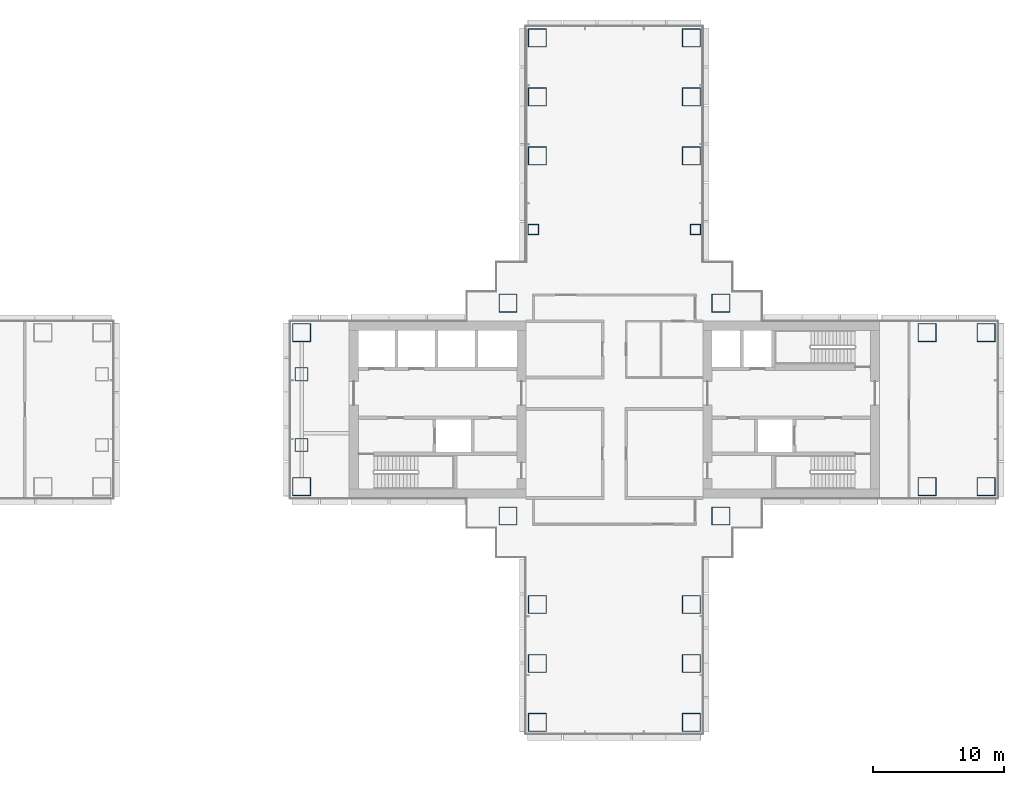
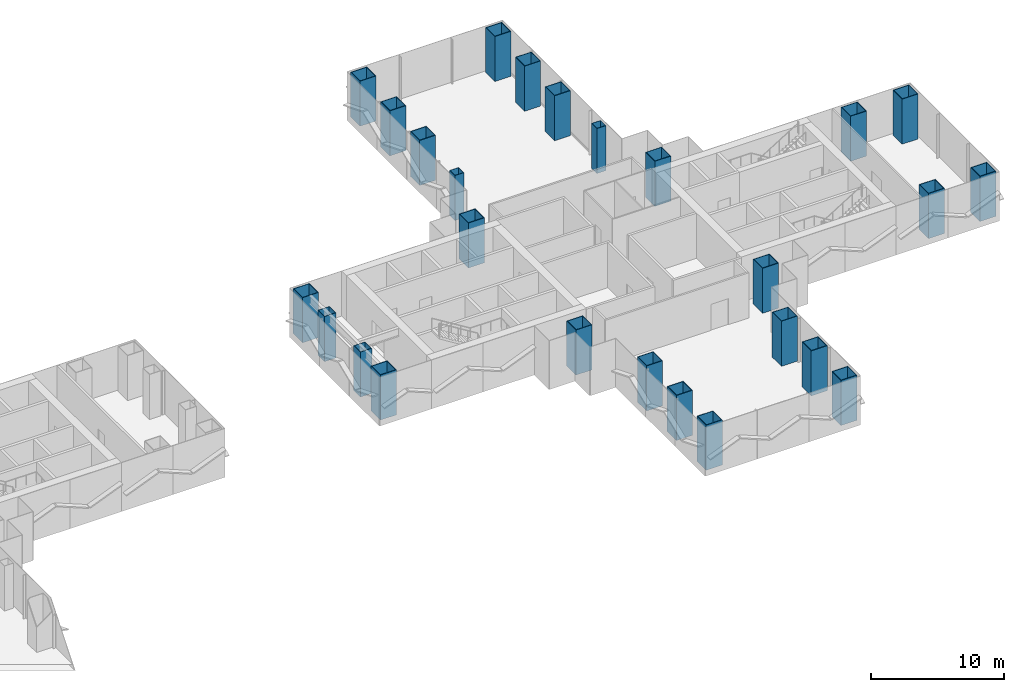
# One storey, part 2 of 22: 26 columns.
"""IFC4 building model written with IfcOpenShell, lengths in metres."""

from ifc_helpers import new_model, si_unit, direction, frame, origin, origin_2d, place, context, subcontext, project, spatial, hollow_rectangle, extrude, material, material_profile, profile_set, type_object, element, save


model = new_model("IFC4")

# Units and contexts
model_context = context("Model", 3, precision=1e-05, world=origin(), true_north=direction((0.0, 1.0)))
body_context = subcontext(model_context, "Body", "Model", "MODEL_VIEW")
ifc_project = project(units=[si_unit("LENGTHUNIT", "METRE"), si_unit("AREAUNIT", "SQUARE_METRE"), si_unit("VOLUMEUNIT", "CUBIC_METRE"), si_unit("PLANEANGLEUNIT", "RADIAN"), si_unit("MASSUNIT", "GRAM", prefix="KILO")], contexts=[model_context])

# Site, building, storey
site_placement = place(None, origin())
site = spatial("IfcSite", under=ifc_project, at=site_placement, CompositionType="ELEMENT")
building_placement = place(site_placement, origin())
building = spatial("IfcBuilding", under=site, at=building_placement, Name="Shamsa Quay Exchange Towers", CompositionType="ELEMENT")
storey_placement = place(building_placement, frame((0.0, 0.0, 37.5)))
storey = spatial("IfcBuildingStorey", under=building, at=storey_placement, Name="L07", CompositionType="ELEMENT", Elevation=37.5)

# Columns
ifc_material_1 = material(Name="Concrete-filled steel tube S355 / C80/95", Category="concrete")
ifc_material_profile_1 = material_profile(ifc_material_1, hollow_rectangle(XDim=1.39990234375, YDim=1.39990234375, WallThickness=0.050048828125, at=origin_2d()), Name="CFT 1400x1400x50")
ifc_profile_set_1 = profile_set([ifc_material_profile_1], Name="Concrete-filled steel tube S355 / C80/95")
column_type_1 = type_object("IfcColumnType", Name="Column CFT 1400x1400x50", PredefinedType="COLUMN", material=ifc_profile_set_1)
for number, where, name in (
    (1, (25.625, 8.125, 0.0), "Mega column T2-CM01"),
    (2, (41.875, 8.125, 0.0), "Mega column T2-CM02"),
    (3, (25.625, -8.125, 0.0), "Mega column T2-CM03"),
    (4, (41.875, -8.125, 0.0), "Mega column T2-CM04"),
    (5, (39.625, 19.375, 0.0), "Mega column T2-CM06"),
    (6, (39.625, 23.875, 0.0), "Mega column T2-CM07"),
    (7, (39.625, 28.375, 0.0), "Mega column T2-CM08"),
    (8, (27.875, 19.375, 0.0), "Mega column T2-CM10"),
    (9, (27.875, 23.875, 0.0), "Mega column T2-CM11"),
    (10, (27.875, 28.375, 0.0), "Mega column T2-CM12"),
    (11, (39.625, -14.875, 0.0), "Mega column T2-CM13"),
    (12, (39.625, -19.375, 0.0), "Mega column T2-CM14"),
    (13, (39.625, -23.875, 0.0), "Mega column T2-CM15"),
    (14, (27.875, -14.875, 0.0), "Mega column T2-CM16"),
    (15, (27.875, -19.375, 0.0), "Mega column T2-CM17"),
    (16, (27.875, -23.875, 0.0), "Mega column T2-CM18"),
    (17, (9.875, -5.875, 0.0), "Mega column T2-CM19"),
    (18, (9.875, 5.875, 0.0), "Mega column T2-CM20"),
    (19, (57.625, -5.875, 0.0), "Mega column T2-CM21"),
    (20, (62.125, -5.875, 0.0), "Mega column T2-CM22"),
    (21, (57.625, 5.875, 0.0), "Mega column T2-CM23"),
    (22, (62.125, 5.875, 0.0), "Mega column T2-CM24"),
):
    element("IfcColumn", number, at=place(storey_placement, frame(where)), inside=storey, type_object=column_type_1, Name=name, PredefinedType="COLUMN", context=body_context, shape_type="SweptSolid", body=[
        extrude(hollow_rectangle(XDim=1.39990234375, YDim=1.39990234375, WallThickness=0.050048828125, at=origin_2d()), origin(), (0.0, 0.0, 1.0), 4.14990234375),
    ])
ifc_material_2 = material(Name="Concrete-filled steel tube S355 / C60/75", Category="concrete")
ifc_material_profile_2 = material_profile(ifc_material_2, hollow_rectangle(XDim=0.800048828125, YDim=0.800048828125, WallThickness=0.02490234375, at=origin_2d()), Name="CFT 800x800x25")
ifc_profile_set_2 = profile_set([ifc_material_profile_2], Name="Concrete-filled steel tube S355 / C60/75")
column_type_2 = type_object("IfcColumnType", Name="Column CFT 800x800x25", PredefinedType="COLUMN", material=ifc_profile_set_2)
for number, where, name in (
    (23, (39.9375, 13.75, 0.0), "Perimeter column T2-CP05"),
    (24, (27.5625, 13.75, 0.0), "Perimeter column T2-CP09"),
):
    element("IfcColumn", number, at=place(storey_placement, frame(where)), inside=storey, type_object=column_type_2, Name=name, PredefinedType="COLUMN", context=body_context, shape_type="SweptSolid", body=[
        extrude(hollow_rectangle(XDim=0.800048828125, YDim=0.800048828125, WallThickness=0.02490234375, at=origin_2d()), origin(), (0.0, 0.0, 1.0), 4.14990234375),
    ])
ifc_material_3 = material(Name="Concrete-filled steel tube S355 / C70/85", Category="concrete")
ifc_material_profile_3 = material_profile(ifc_material_3, hollow_rectangle(XDim=1.0, YDim=1.0, WallThickness=0.0400390625, at=origin_2d()), Name="CFT 1000x1000x40")
ifc_profile_set_3 = profile_set([ifc_material_profile_3], Name="Concrete-filled steel tube S355 / C70/85")
column_type_3 = type_object("IfcColumnType", Name="Landing column CFT 1000x1000x40", PredefinedType="COLUMN", material=ifc_profile_set_3)
for number, where, name in (
    (25, (9.875, -2.699951171875, 0.0), "Landing column T2 S"),
    (26, (9.875, 2.699951171875, 0.0), "Landing column T2 N"),
):
    element("IfcColumn", number, at=place(storey_placement, frame(where)), inside=storey, type_object=column_type_3, Name=name, PredefinedType="COLUMN", context=body_context, shape_type="SweptSolid", body=[
        extrude(hollow_rectangle(XDim=1.0, YDim=1.0, WallThickness=0.0400390625, at=origin_2d()), origin(), (0.0, 0.0, 1.0), 4.14990234375),
    ])

save(model, "model.ifc")
